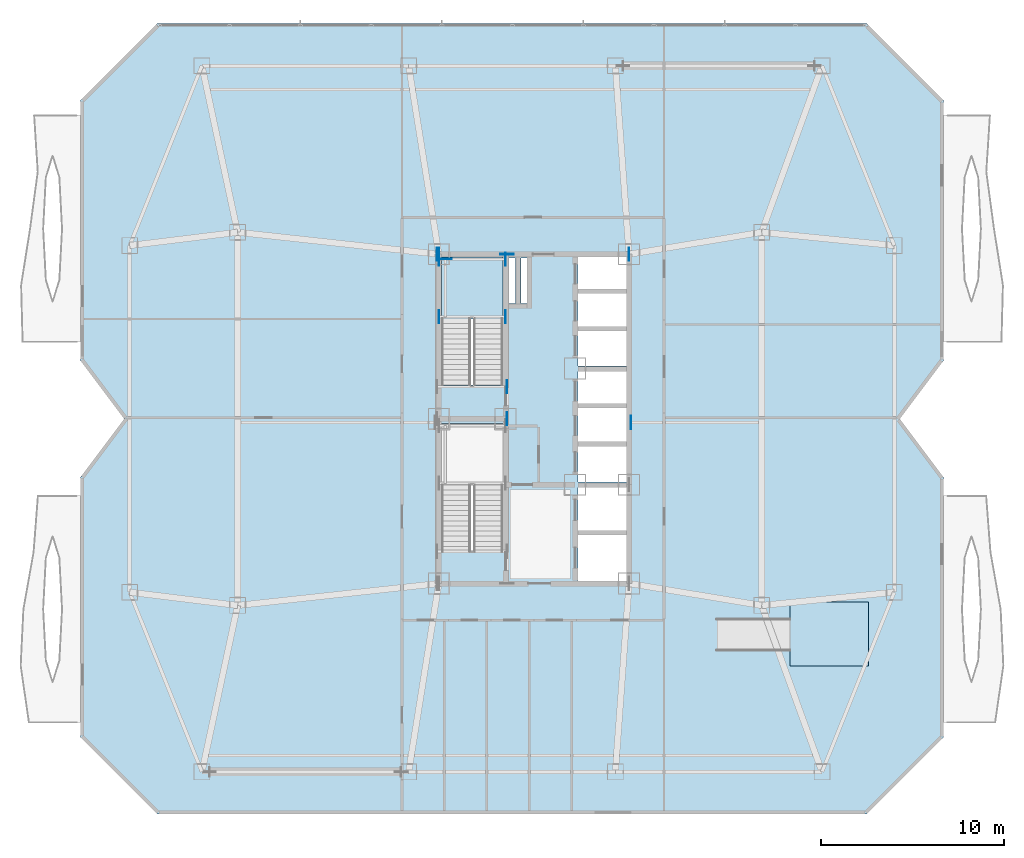
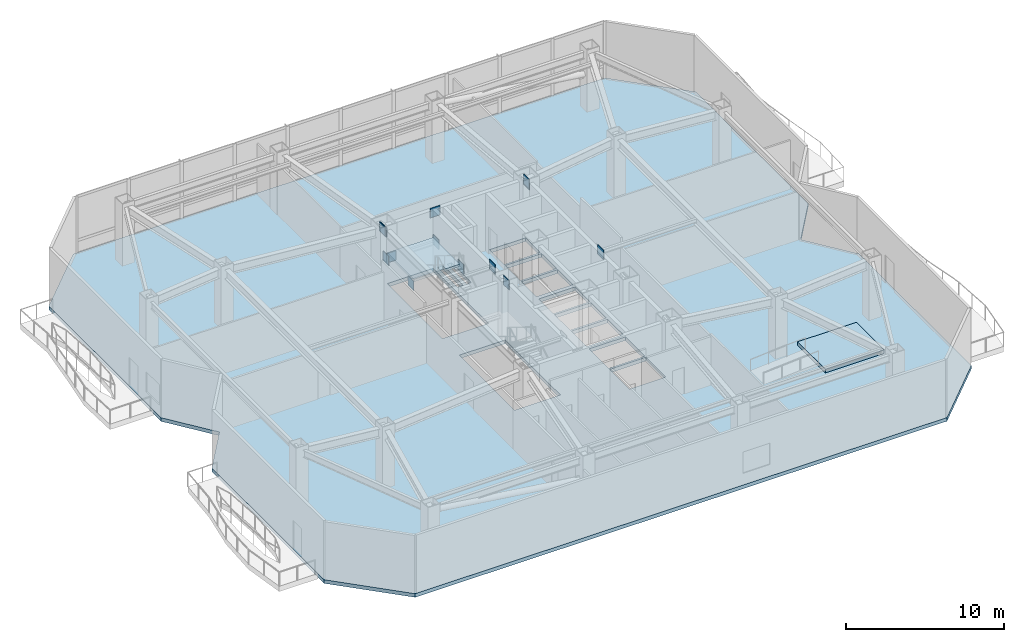
# One storey, part 6 of 16: 13 plates, 3 slabs, 1 element without a shape of its own.
"""IFC4 building model written with IfcOpenShell, lengths in metres."""

from ifc_helpers import new_model, si_unit, direction, frame, origin, origin_2d, place, context, subcontext, project, spatial, polyline, rectangle, outline, extrude, material, layer, layer_set, type_object, element, aggregate, save


model = new_model("IFC4")

# Units and contexts
model_context = context("Model", 3, precision=1e-05, world=origin(), true_north=direction((0.0, 1.0)))
body_context = subcontext(model_context, "Body", "Model", "MODEL_VIEW")
ifc_project = project(units=[si_unit("LENGTHUNIT", "METRE"), si_unit("AREAUNIT", "SQUARE_METRE"), si_unit("VOLUMEUNIT", "CUBIC_METRE"), si_unit("PLANEANGLEUNIT", "RADIAN"), si_unit("MASSUNIT", "GRAM", prefix="KILO")], contexts=[model_context])

# Site, building, storey
site_placement = place(None, origin())
site = spatial("IfcSite", under=ifc_project, at=site_placement, CompositionType="ELEMENT")
building_placement = place(site_placement, origin())
building = spatial("IfcBuilding", under=site, at=building_placement, Name="Khamvora Tower", CompositionType="ELEMENT")
storey_placement = place(building_placement, frame((0.0, 0.0, 145.699951171875)))
storey = spatial("IfcBuildingStorey", under=building, at=storey_placement, Name="L37", CompositionType="ELEMENT", Elevation=145.699951171875)

# Plates
ifc_material_1 = material(Name="Steel S460", Category="steel")
ifc_layer_1 = layer(ifc_material_1, 0.034912109375)
ifc_layer_set_1 = layer_set([ifc_layer_1], Name="Steel S460")
plate_type = type_object("IfcPlateType", Name="PL-EMB-35", PredefinedType="SHEET", material=ifc_layer_set_1)
for number, where, z_axis, x_axis, name in (
    (1, (29.0, 33.574951171875, 1.708984375), (0.0, 0.0, 1.0), (1.0, 0.0, 0.0), "L37 core shear wall cast-in embed plate 1080"),
    (2, (32.64990234375, 33.574951171875, 1.708984375), (0.0, 0.0, 1.0), (1.0, 0.0, 0.0), "L37 core shear wall cast-in embed plate 1081"),
    (3, (29.0, 36.72998046875, 1.708984375), (0.0, 0.0, 1.0), (1.0, 0.0, 0.0), "L37 core shear wall cast-in embed plate 1082"),
    (4, (32.64990234375, 36.72998046875, 1.708984375), (0.0, 0.0, 1.0), (1.0, 0.0, 0.0), "L37 core shear wall cast-in embed plate 1083"),
):
    element("IfcPlate", number, at=place(storey_placement, frame(where, z_axis=z_axis, x_axis=x_axis)), inside=storey, type_object=plate_type, Name=name, PredefinedType="SHEET", context=body_context, shape_type="SweptSolid", body=[
        extrude(rectangle(XDim=0.034912109375, YDim=0.719970703125, at=origin_2d()), origin(), (0.0, 0.0, 1.0), 0.719970703125),
    ])
plate_1_placement = place(storey_placement, frame((29.35009765625, 36.72998046875, 1.708984375), z_axis=(0.0, 0.0, 1.0), x_axis=(1.0, 0.0, 0.0)))
element("IfcPlate", 5, at=plate_1_placement, inside=storey, type_object=plate_type, Name="L37 core shear wall cast-in embed plate 1084", PredefinedType="SHEET", context=body_context, shape_type="SweptSolid", body=[
    extrude(rectangle(XDim=0.719970703125, YDim=0.034912109375, at=origin_2d()), origin(), (0.0, 0.0, 1.0), 0.719970703125),
])
for number, where, z_axis, x_axis, name in (
    (6, (29.0, 37.0, 3.77294921875), (0.0, 0.0, 1.0), (1.0, 0.0, 0.0), "L37 core shear wall cast-in embed plate 1087"),
    (7, (39.39990234375, 37.0, 3.77294921875), (0.0, 0.0, 1.0), (1.0, 0.0, 0.0), "L37 core shear wall cast-in embed plate 1088"),
    (8, (28.89990234375, 37.0, 3.85302734375), (0.0, 0.0, 1.0), (1.0, 0.0, 0.0), "L37 core shear wall cast-in embed plate 1091"),
    (9, (32.72998046875, 28.0, 3.85302734375), (0.0, 0.0, 1.0), (1.0, 0.0, 0.0), "L37 core shear wall cast-in embed plate 1093"),
):
    element("IfcPlate", number, at=place(storey_placement, frame(where, z_axis=z_axis, x_axis=x_axis)), inside=storey, type_object=plate_type, Name=name, PredefinedType="SHEET", context=body_context, shape_type="SweptSolid", body=[
        extrude(rectangle(XDim=0.034912109375, YDim=0.719970703125, at=origin_2d()), origin(), (0.0, 0.0, 1.0), 0.719970703125),
    ])
plate_2_placement = place(storey_placement, frame((32.72998046875, 37.0, 3.85302734375), z_axis=(0.0, 0.0, 1.0), x_axis=(1.0, 0.0, 0.0)))
element("IfcPlate", 10, at=plate_2_placement, inside=storey, type_object=plate_type, Name="L37 core shear wall cast-in embed plate 1094", PredefinedType="SHEET", context=body_context, shape_type="SweptSolid", body=[
    extrude(rectangle(XDim=0.719970703125, YDim=0.034912109375, at=origin_2d()), origin(), (0.0, 0.0, 1.0), 0.719970703125),
])
for number, where, z_axis, x_axis, name in (
    (11, (39.39990234375, 37.0, 3.85302734375), (0.0, 0.0, 1.0), (1.0, 0.0, 0.0), "L37 core shear wall cast-in embed plate 1097"),
    (12, (32.72998046875, 29.75, 3.994140625), (0.0, 0.0, 1.0), (1.0, 0.0, 0.0), "L37 core shear wall cast-in embed plate 1101"),
    (13, (39.4990234375, 27.800048828125, 3.9638671875), (0.0, 0.0, 1.0), (1.0, 0.0, 0.0), "L37 core shear wall cast-in embed plate 1103"),
):
    element("IfcPlate", number, at=place(storey_placement, frame(where, z_axis=z_axis, x_axis=x_axis)), inside=storey, type_object=plate_type, Name=name, PredefinedType="SHEET", context=body_context, shape_type="SweptSolid", body=[
        extrude(rectangle(XDim=0.034912109375, YDim=0.719970703125, at=origin_2d()), origin(), (0.0, 0.0, 1.0), 0.719970703125),
    ])

# Stair, slab
ifc_material_2 = material(Name="Concrete C40/50", Category="concrete")
stair_type = type_object("IfcStairType", Name="STR-ST-02", PredefinedType="HALF_TURN_STAIR", material=ifc_material_2)
stair_placement = place(storey_placement, origin())
stair = element("IfcStair", 14, at=stair_placement, inside=storey, type_object=stair_type, Name="L37 North Tower Exit Stair ST-02", PredefinedType="HALF_TURN_STAIR")
ifc_layer_2 = layer(ifc_material_2, 0.199951171875)
ifc_layer_set_2 = layer_set([ifc_layer_2], Name="Concrete C40/50")
slab_type_1 = type_object("IfcSlabType", Name="SLB-LND-200", PredefinedType="LANDING", material=ifc_layer_set_2)
slab_1_placement = place(storey_placement, frame((0.0, 0.0, 2.199951171875)))
slab_1 = element("IfcSlab", 15, at=slab_1_placement, type_object=slab_type_1, Name="ST-02 landing 1", PredefinedType="LANDING", context=body_context, shape_type="SweptSolid", body=[
    extrude(outline(polyline([(32.5, 33.455078125), (32.5, 36.85009765625), (29.14990234375, 36.85009765625), (29.14990234375, 33.455078125), (32.5, 33.455078125)])), origin(), (0.0, 0.0, 1.0), 0.2001953125),
])
aggregate(stair, [slab_1])

# Slabs
ifc_material_3 = material(Name="Concrete C35/45", Category="concrete")
ifc_layer_3 = layer(ifc_material_3, 0.280029296875)
ifc_layer_set_3 = layer_set([ifc_layer_3], Name="Concrete C35/45")
slab_type_2 = type_object("IfcSlabType", Name="SLB-SCH-280", PredefinedType="FLOOR", material=ifc_layer_set_3)
slab_2_placement = place(storey_placement, frame((0.0, 0.0, -0.280029296875)))
element("IfcSlab", 16, at=slab_2_placement, inside=storey, type_object=slab_type_2, Name="L37 structural floor slab", PredefinedType="FLOOR", context=body_context, shape_type="SweptSolid", body=[
    extrude(outline(polyline([(13.60009765625, 6.39990234375), (52.39990234375, 6.39990234375), (56.60009765625, 10.60009765625), (56.60009765625, 24.800048828125), (54.199951171875, 28.0), (56.60009765625, 31.199951171875), (56.60009765625, 45.39990234375), (52.39990234375, 49.60009765625), (13.60009765625, 49.60009765625), (9.39990234375, 45.39990234375), (9.39990234375, 31.199951171875), (11.800048828125, 28.0), (9.39990234375, 24.800048828125), (9.39990234375, 10.60009765625), (13.60009765625, 6.39990234375)]), holes=[polyline([(32.5, 20.760009765625), (32.5, 27.75), (29.14990234375, 27.75), (29.14990234375, 20.760009765625), (32.5, 20.760009765625)]), polyline([(32.5, 29.860107421875), (32.5, 36.85009765625), (29.14990234375, 36.85009765625), (29.14990234375, 29.860107421875), (32.5, 29.860107421875)]), polyline([(36.60009765625, 19.14990234375), (39.25, 19.14990234375), (39.25, 21.64990234375), (36.60009765625, 21.64990234375), (36.60009765625, 19.14990234375)]), polyline([(36.60009765625, 21.800048828125), (39.25, 21.800048828125), (39.25, 24.25), (36.60009765625, 24.25), (36.60009765625, 21.800048828125)]), polyline([(36.60009765625, 24.550048828125), (39.25, 24.550048828125), (39.25, 26.5), (36.60009765625, 26.5), (36.60009765625, 24.550048828125)]), polyline([(36.60009765625, 26.64990234375), (39.25, 26.64990234375), (39.25, 28.60009765625), (36.60009765625, 28.60009765625), (36.60009765625, 26.64990234375)]), polyline([(36.60009765625, 28.75), (39.25, 28.75), (39.25, 30.60009765625), (36.60009765625, 30.60009765625), (36.60009765625, 28.75)]), polyline([(36.60009765625, 30.89990234375), (39.25, 30.89990234375), (39.25, 32.800048828125), (36.60009765625, 32.800048828125), (36.60009765625, 30.89990234375)]), polyline([(36.60009765625, 32.949951171875), (39.25, 32.949951171875), (39.25, 34.85009765625), (36.60009765625, 34.85009765625), (36.60009765625, 32.949951171875)]), polyline([(36.60009765625, 35.0), (39.25, 35.0), (39.25, 36.85009765625), (36.60009765625, 36.85009765625), (36.60009765625, 35.0)]), polyline([(32.800048828125, 34.300048828125), (33.199951171875, 34.300048828125), (33.199951171875, 36.800048828125), (32.800048828125, 36.800048828125), (32.800048828125, 34.300048828125)]), polyline([(33.47998046875, 34.300048828125), (33.820068359375, 34.300048828125), (33.820068359375, 36.800048828125), (33.47998046875, 36.800048828125), (33.47998046875, 34.300048828125)])]), origin(), (0.0, 0.0, 1.0), 0.280029296875),
])
slab_3_placement = place(storey_placement, origin())
element("IfcSlab", 17, at=slab_3_placement, inside=storey, type_object=slab_type_2, Name="L37 sky-garden raised planter deck slab", PredefinedType="FLOOR", context=body_context, shape_type="SweptSolid", body=[
    extrude(outline(polyline([(48.2041015625, 14.5), (52.5, 14.5), (52.5, 18.0), (48.2041015625, 18.0), (48.2041015625, 14.5)])), origin(), (0.0, 0.0, 1.0), 0.280029296875),
])

save(model, "model.ifc")
